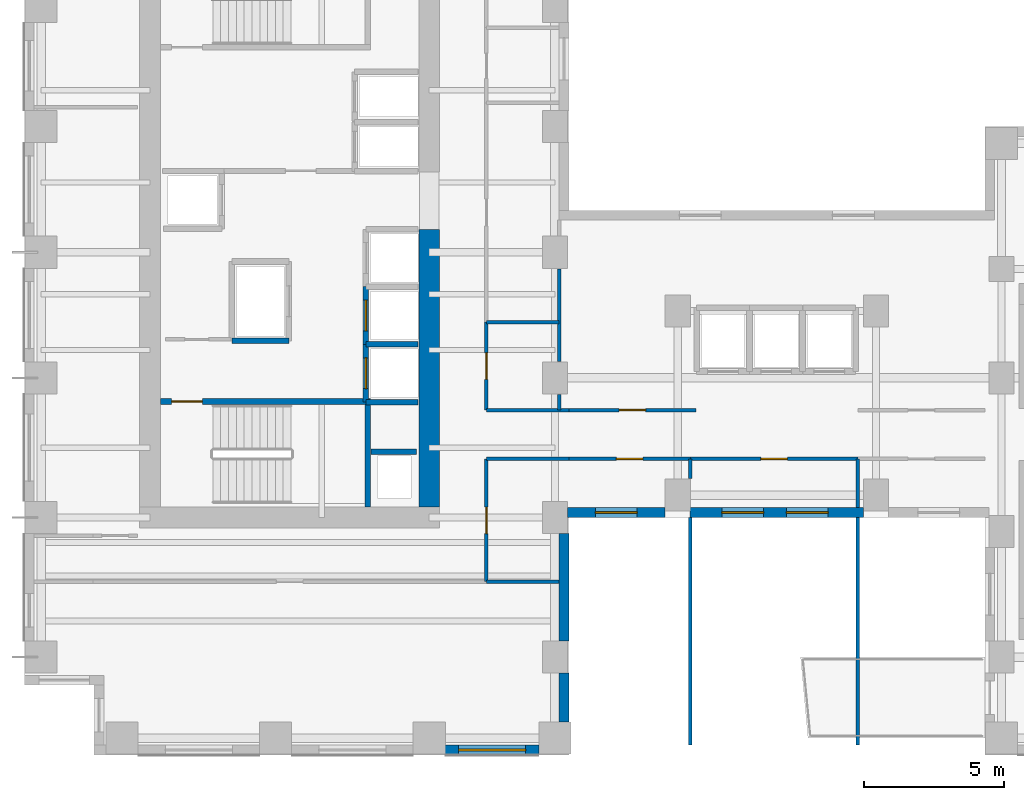
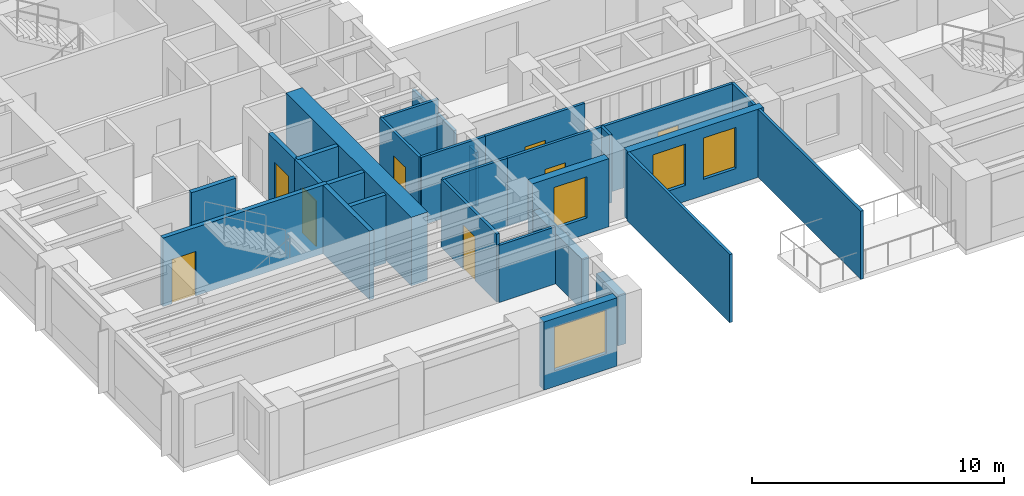
# One storey, part 4 of 12: 29 walls, 8 doors, 4 windows, 12 openings.
"""IFC4 building model written with IfcOpenShell, lengths in metres."""

from ifc_helpers import new_model, si_unit, direction, frame, frame_2d, origin, place, context, subcontext, project, spatial, rectangle, extrude, source, transform, mapped, material, layer, layer_set, type_object, element, fill, save


model = new_model("IFC4")

# Units and contexts
model_context = context("Model", 3, precision=1e-05, world=origin(), true_north=direction((0.0, 1.0)))
body_context = subcontext(model_context, "Body", "Model", "MODEL_VIEW")
ifc_project = project(units=[si_unit("LENGTHUNIT", "METRE"), si_unit("AREAUNIT", "SQUARE_METRE"), si_unit("VOLUMEUNIT", "CUBIC_METRE"), si_unit("PLANEANGLEUNIT", "RADIAN"), si_unit("MASSUNIT", "GRAM", prefix="KILO")], contexts=[model_context])

# Site, building, storey
site_placement = place(None, origin())
site = spatial("IfcSite", under=ifc_project, at=site_placement, CompositionType="ELEMENT")
building_placement = place(site_placement, origin())
building = spatial("IfcBuilding", under=site, at=building_placement, Name="Kharzan Plaza Tower", CompositionType="ELEMENT")
storey_placement = place(building_placement, frame((0.0, 0.0, 135.0)))
storey = spatial("IfcBuildingStorey", under=building, at=storey_placement, Name="L36", CompositionType="ELEMENT", Elevation=135.0)

# Wall, opening, window
ifc_material_1 = material(Name="Concrete C40/50", Category="concrete")
ifc_layer_1 = layer(ifc_material_1, 0.35009765625)
ifc_layer_set_1 = layer_set([ifc_layer_1], Name="Concrete C40/50")
wall_type_1 = type_object("IfcWallType", Name="WL-EXT-MAS-Z2", PredefinedType="SOLIDWALL", material=ifc_layer_set_1)
wall_1_placement = place(storey_placement, frame((15.072998046875, 0.175048828125, 0.0), z_axis=(0.0, 0.0, 1.0), x_axis=(1.0, 0.0, 0.0)))
wall_1 = element("IfcWall", 1, at=wall_1_placement, inside=storey, type_object=wall_type_1, Name="L36 Masonry-Frame Exterior Wall 31", PredefinedType="SOLIDWALL", context=body_context, shape_type="SweptSolid", body=[
    extrude(rectangle(XDim=3.35400390625, YDim=0.35009765625, at=frame_2d((1.677001953125, 0.0))), origin(), (0.0, 0.0, 1.0), 3.304931640625),
])
opening_1_placement = place(wall_1_placement, frame((0.47705078125, 0.0, 0.780029296875)))
opening_1 = element("IfcOpeningElement", 2, at=opening_1_placement, cuts=wall_1, Name="Opening W2", PredefinedType="OPENING", context=body_context, shape_type="SweptSolid", body=[
    extrude(rectangle(XDim=2.39990234375, YDim=2.10009765625, at=frame_2d((1.199951171875, 1.050048828125))), frame((0.0, 0.18505859375, 0.0), z_axis=(0.0, -1.0, 0.0), x_axis=(1.0, 0.0, 0.0)), (0.0, 0.0, 1.0), 0.3701171875),
])
ifc_material_2 = material(Name="Low-E Double Glazing", Category="glass")
window_type_1 = type_object("IfcWindowType", Name="WN-REC-2400x2100", PartitioningType="SINGLE_PANEL", PredefinedType="WINDOW", material=ifc_material_2)
shared_shape_1 = source(origin(), body_context, "Body", "SweptSolid", [
    extrude(rectangle(XDim=2.39990234375, YDim=2.10009765625, at=frame_2d((1.199951171875, 1.050048828125))), frame((0.0, 0.030029296875, 0.0), z_axis=(0.0, -1.0, 0.0), x_axis=(1.0, 0.0, 0.0)), (0.0, 0.0, 1.0), 0.06005859375),
])
window_1_placement = place(opening_1_placement, origin())
window_1 = element("IfcWindow", 3, at=window_1_placement, inside=storey, type_object=window_type_1, Name="L36 Wide Recessed Solar-Control Window 31-1", OverallHeight=2.10009765625, OverallWidth=2.39990234375, PartitioningType="SINGLE_PANEL", PredefinedType="WINDOW", context=body_context, shape_type="MappedRepresentation", body=[
    mapped(shared_shape_1, transform((0.0, 0.0, 0.0), x_axis=(1.0, 0.0, 0.0), y_axis=(0.0, 1.0, 0.0), z_axis=(0.0, 0.0, 1.0))),
])
fill(opening_1, window_1)

wall_2_placement = place(storey_placement, frame((19.447998046875, 8.675048828125, 0.0), z_axis=(0.0, 0.0, 1.0), x_axis=(1.0, 0.0, 0.0)))
wall_2 = element("IfcWall", 4, at=wall_2_placement, inside=storey, type_object=wall_type_1, Name="L36 Masonry-Frame Exterior Wall 34", PredefinedType="SOLIDWALL", context=body_context, shape_type="SweptSolid", body=[
    extrude(rectangle(XDim=3.50390625, YDim=0.35009765625, at=frame_2d((1.751953125, 0.0))), origin(), (0.0, 0.0, 1.0), 3.304931640625),
])
opening_2_placement = place(wall_2_placement, frame((1.001953125, 0.0, 0.780029296875)))
opening_2 = element("IfcOpeningElement", 5, at=opening_2_placement, cuts=wall_2, Name="Opening W5", PredefinedType="OPENING", context=body_context, shape_type="SweptSolid", body=[
    extrude(rectangle(XDim=1.5, YDim=2.0, at=frame_2d((0.75, 1.0))), frame((0.0, 0.18505859375, 0.0), z_axis=(0.0, -1.0, 0.0), x_axis=(1.0, 0.0, 0.0)), (0.0, 0.0, 1.0), 0.3701171875),
])
window_type_2 = type_object("IfcWindowType", Name="WN-SLT-1500x2000", PartitioningType="SINGLE_PANEL", PredefinedType="WINDOW", material=ifc_material_2)
shared_shape_2 = source(origin(), body_context, "Body", "SweptSolid", [
    extrude(rectangle(XDim=1.5, YDim=2.0, at=frame_2d((0.75, 1.0))), frame((0.0, 0.030029296875, 0.0), z_axis=(0.0, -1.0, 0.0), x_axis=(1.0, 0.0, 0.0)), (0.0, 0.0, 1.0), 0.06005859375),
])
window_2_placement = place(opening_2_placement, origin())
window_2 = element("IfcWindow", 6, at=window_2_placement, inside=storey, type_object=window_type_2, Name="L36 Recessed Solar-Control Window 34-1", OverallHeight=2.0, OverallWidth=1.5, PartitioningType="SINGLE_PANEL", PredefinedType="WINDOW", context=body_context, shape_type="MappedRepresentation", body=[
    mapped(shared_shape_2, transform((0.0, 0.0, 0.0), x_axis=(1.0, 0.0, 0.0), y_axis=(0.0, 1.0, 0.0), z_axis=(0.0, 0.0, 1.0))),
])
fill(opening_2, window_2)

# Wall, openings, windows
wall_3_placement = place(storey_placement, frame((23.847900390625, 8.675048828125, 0.0), z_axis=(0.0, 0.0, 1.0), x_axis=(1.0, 0.0, 0.0)))
wall_3 = element("IfcWall", 7, at=wall_3_placement, inside=storey, type_object=wall_type_1, Name="L36 Masonry-Frame Exterior Wall 35", PredefinedType="SOLIDWALL", context=body_context, shape_type="SweptSolid", body=[
    extrude(rectangle(XDim=6.2041015625, YDim=0.35009765625, at=frame_2d((3.10205078125, 0.0))), origin(), (0.0, 0.0, 1.0), 3.304931640625),
])
opening_3_placement = place(wall_3_placement, frame((1.130615234375, 0.0, 0.780029296875)))
opening_3 = element("IfcOpeningElement", 8, at=opening_3_placement, cuts=wall_3, Name="Opening W5", PredefinedType="OPENING", context=body_context, shape_type="SweptSolid", body=[
    extrude(rectangle(XDim=1.5, YDim=2.0, at=frame_2d((0.75, 1.0))), frame((0.0, 0.18505859375, 0.0), z_axis=(0.0, -1.0, 0.0), x_axis=(1.0, 0.0, 0.0)), (0.0, 0.0, 1.0), 0.3701171875),
])
opening_4_placement = place(wall_3_placement, frame((3.44140625, 0.0, 0.780029296875)))
opening_4 = element("IfcOpeningElement", 9, at=opening_4_placement, cuts=wall_3, Name="Opening W5", PredefinedType="OPENING", context=body_context, shape_type="SweptSolid", body=[
    extrude(rectangle(XDim=1.5, YDim=2.0, at=frame_2d((0.75, 1.0))), frame((0.0, 0.18505859375, 0.0), z_axis=(0.0, -1.0, 0.0), x_axis=(1.0, 0.0, 0.0)), (0.0, 0.0, 1.0), 0.3701171875),
])
window_3_placement = place(opening_3_placement, origin())
window_3 = element("IfcWindow", 10, at=window_3_placement, inside=storey, type_object=window_type_2, Name="L36 Recessed Solar-Control Window 35-1", OverallHeight=2.0, OverallWidth=1.5, PartitioningType="SINGLE_PANEL", PredefinedType="WINDOW", context=body_context, shape_type="MappedRepresentation", body=[
    mapped(shared_shape_2, transform((0.0, 0.0, 0.0), x_axis=(1.0, 0.0, 0.0), y_axis=(0.0, 1.0, 0.0), z_axis=(0.0, 0.0, 1.0))),
])
fill(opening_3, window_3)
window_4_placement = place(opening_4_placement, origin())
window_4 = element("IfcWindow", 11, at=window_4_placement, inside=storey, type_object=window_type_2, Name="L36 Recessed Solar-Control Window 35-2", OverallHeight=2.0, OverallWidth=1.5, PartitioningType="SINGLE_PANEL", PredefinedType="WINDOW", context=body_context, shape_type="MappedRepresentation", body=[
    mapped(shared_shape_2, transform((0.0, 0.0, 0.0), x_axis=(1.0, 0.0, 0.0), y_axis=(0.0, 1.0, 0.0), z_axis=(0.0, 0.0, 1.0))),
])
fill(opening_4, window_4)

# Wall, opening, door
ifc_material_3 = material(Name="Fire-Rated Gypsum Board Partition", Category="gypsum")
ifc_layer_2 = layer(ifc_material_3, 0.125)
ifc_layer_set_2 = layer_set([ifc_layer_2], Name="Fire-Rated Gypsum Board Partition")
wall_type_2 = type_object("IfcWallType", Name="WL-INT-PART-125", PredefinedType="PARTITIONING", material=ifc_layer_set_2)
wall_4_placement = place(storey_placement, frame((16.550048828125, 12.35009765625, 0.0), z_axis=(0.0, 0.0, 1.0), x_axis=(0.0, 1.0, 0.0)))
wall_4 = element("IfcWall", 12, at=wall_4_placement, inside=storey, type_object=wall_type_2, Name="L36 Interior Partition SH-AEWN1", PredefinedType="PARTITIONING", context=body_context, shape_type="SweptSolid", body=[
    extrude(rectangle(XDim=3.14990234375, YDim=0.125, at=frame_2d((1.574951171875, 0.0))), origin(), (0.0, 0.0, 1.0), 3.304931640625),
])
opening_5_placement = place(wall_4_placement, frame((1.10009765625, 0.0, 0.0)))
opening_5 = element("IfcOpeningElement", 13, at=opening_5_placement, cuts=wall_4, Name="Opening OD1", PredefinedType="OPENING", context=body_context, shape_type="SweptSolid", body=[
    extrude(rectangle(XDim=0.949951171875, YDim=2.14990234375, at=frame_2d((0.47509765625, 1.074951171875))), frame((0.0, 0.072509765625, 0.0), z_axis=(0.0, -1.0, 0.0), x_axis=(1.0, 0.0, 0.0)), (0.0, 0.0, 1.0), 0.14501953125),
])
ifc_material_4 = material(Name="Acoustic Solid-Core Stained Oak", Category="timber")
door_type_1 = type_object("IfcDoorType", Name="DR-OFF-SINGLE", OperationType="NOTDEFINED", PredefinedType="DOOR", material=ifc_material_4)
shared_shape_3 = source(origin(), body_context, "Body", "SweptSolid", [
    extrude(rectangle(XDim=0.949951171875, YDim=2.14990234375, at=frame_2d((0.47509765625, 1.074951171875))), frame((0.0, 0.02490234375, 0.0), z_axis=(0.0, -1.0, 0.0), x_axis=(1.0, 0.0, 0.0)), (0.0, 0.0, 1.0), 0.050048828125),
])
door_1_placement = place(opening_5_placement, origin())
door_1 = element("IfcDoor", 14, at=door_1_placement, inside=storey, type_object=door_type_1, Name="L36 Slot Collaboration Door", OperationType="SINGLE_SWING_LEFT", OverallHeight=2.14990234375, OverallWidth=0.949951171875, PredefinedType="DOOR", context=body_context, shape_type="MappedRepresentation", body=[
    mapped(shared_shape_3, transform((0.0, 0.0, 0.0), x_axis=(1.0, 0.0, 0.0), y_axis=(0.0, 1.0, 0.0), z_axis=(0.0, 0.0, 1.0))),
])
fill(opening_5, door_1)

wall_5_placement = place(storey_placement, frame((16.550048828125, 6.199951171875, 0.0), z_axis=(0.0, 0.0, 1.0), x_axis=(0.0, 1.0, 0.0)))
wall_5 = element("IfcWall", 15, at=wall_5_placement, inside=storey, type_object=wall_type_2, Name="L36 Interior Partition SH-AEWS", PredefinedType="PARTITIONING", context=body_context, shape_type="SweptSolid", body=[
    extrude(rectangle(XDim=4.400146484375, YDim=0.125, at=frame_2d((2.2001953125, 0.0))), origin(), (0.0, 0.0, 1.0), 3.304931640625),
])
opening_6_placement = place(wall_5_placement, frame((1.72509765625, 0.0, 0.0)))
opening_6 = element("IfcOpeningElement", 16, at=opening_6_placement, cuts=wall_5, Name="Opening OD1", PredefinedType="OPENING", context=body_context, shape_type="SweptSolid", body=[
    extrude(rectangle(XDim=0.949951171875, YDim=2.14990234375, at=frame_2d((0.47509765625, 1.074951171875))), frame((0.0, 0.072509765625, 0.0), z_axis=(0.0, -1.0, 0.0), x_axis=(1.0, 0.0, 0.0)), (0.0, 0.0, 1.0), 0.14501953125),
])
door_2_placement = place(opening_6_placement, origin())
door_2 = element("IfcDoor", 17, at=door_2_placement, inside=storey, type_object=door_type_1, Name="L36 Slot South Office Door", OperationType="SINGLE_SWING_RIGHT", OverallHeight=2.14990234375, OverallWidth=0.949951171875, PredefinedType="DOOR", context=body_context, shape_type="MappedRepresentation", body=[
    mapped(shared_shape_3, transform((0.0, 0.0, 0.0), x_axis=(1.0, 0.0, 0.0), y_axis=(0.0, 1.0, 0.0), z_axis=(0.0, 0.0, 1.0))),
])
fill(opening_6, door_2)

wall_6_placement = place(storey_placement, frame((19.5, 12.35009765625, 0.0), z_axis=(0.0, 0.0, 1.0), x_axis=(1.0, 0.0, 0.0)))
wall_6 = element("IfcWall", 18, at=wall_6_placement, inside=storey, type_object=wall_type_2, Name="L36 Interior Partition SH-SPNW1", PredefinedType="PARTITIONING", context=body_context, shape_type="SweptSolid", body=[
    extrude(rectangle(XDim=4.550048828125, YDim=0.125, at=frame_2d((2.27490234375, 0.0))), origin(), (0.0, 0.0, 1.0), 3.304931640625),
])
opening_7_placement = place(wall_6_placement, frame((1.800048828125, 0.0, 0.0)))
opening_7 = element("IfcOpeningElement", 19, at=opening_7_placement, cuts=wall_6, Name="Opening OD1", PredefinedType="OPENING", context=body_context, shape_type="SweptSolid", body=[
    extrude(rectangle(XDim=0.949951171875, YDim=2.14990234375, at=frame_2d((0.47509765625, 1.074951171875))), frame((0.0, 0.072509765625, 0.0), z_axis=(0.0, -1.0, 0.0), x_axis=(1.0, 0.0, 0.0)), (0.0, 0.0, 1.0), 0.14501953125),
])
door_3_placement = place(opening_7_placement, origin())
door_3 = element("IfcDoor", 20, at=door_3_placement, inside=storey, type_object=door_type_1, Name="L36 North-West Spine Door", OperationType="SINGLE_SWING_RIGHT", OverallHeight=2.14990234375, OverallWidth=0.949951171875, PredefinedType="DOOR", context=body_context, shape_type="MappedRepresentation", body=[
    mapped(shared_shape_3, transform((0.0, 0.0, 0.0), x_axis=(1.0, 0.0, 0.0), y_axis=(0.0, 1.0, 0.0), z_axis=(0.0, 0.0, 1.0))),
])
fill(opening_7, door_3)

wall_7_placement = place(storey_placement, frame((19.5, 10.60009765625, 0.0), z_axis=(0.0, 0.0, 1.0), x_axis=(1.0, 0.0, 0.0)))
wall_7 = element("IfcWall", 21, at=wall_7_placement, inside=storey, type_object=wall_type_2, Name="L36 Interior Partition SH-SPS1", PredefinedType="PARTITIONING", context=body_context, shape_type="SweptSolid", body=[
    extrude(rectangle(XDim=4.35009765625, YDim=0.125, at=frame_2d((2.175048828125, 0.0))), origin(), (0.0, 0.0, 1.0), 3.304931640625),
])
opening_8_placement = place(wall_7_placement, frame((1.699951171875, 0.0, 0.0)))
opening_8 = element("IfcOpeningElement", 22, at=opening_8_placement, cuts=wall_7, Name="Opening OD1", PredefinedType="OPENING", context=body_context, shape_type="SweptSolid", body=[
    extrude(rectangle(XDim=0.949951171875, YDim=2.14990234375, at=frame_2d((0.47509765625, 1.074951171875))), frame((0.0, 0.072509765625, 0.0), z_axis=(0.0, -1.0, 0.0), x_axis=(1.0, 0.0, 0.0)), (0.0, 0.0, 1.0), 0.14501953125),
])
door_4_placement = place(opening_8_placement, origin())
door_4 = element("IfcDoor", 23, at=door_4_placement, inside=storey, type_object=door_type_1, Name="L36 Spine Studio 1 Door", OperationType="SINGLE_SWING_LEFT", OverallHeight=2.14990234375, OverallWidth=0.949951171875, PredefinedType="DOOR", context=body_context, shape_type="MappedRepresentation", body=[
    mapped(shared_shape_3, transform((0.0, 0.0, 0.0), x_axis=(1.0, 0.0, 0.0), y_axis=(0.0, 1.0, 0.0), z_axis=(0.0, 0.0, 1.0))),
])
fill(opening_8, door_4)

wall_8_placement = place(storey_placement, frame((23.85009765625, 10.60009765625, 0.0), z_axis=(0.0, 0.0, 1.0), x_axis=(1.0, 0.0, 0.0)))
wall_8 = element("IfcWall", 24, at=wall_8_placement, inside=storey, type_object=wall_type_2, Name="L36 Interior Partition SH-SPS2", PredefinedType="PARTITIONING", context=body_context, shape_type="SweptSolid", body=[
    extrude(rectangle(XDim=6.0, YDim=0.125, at=frame_2d((3.0, 0.0))), origin(), (0.0, 0.0, 1.0), 3.304931640625),
])
opening_9_placement = place(wall_8_placement, frame((2.52490234375, 0.0, 0.0)))
opening_9 = element("IfcOpeningElement", 25, at=opening_9_placement, cuts=wall_8, Name="Opening OD1", PredefinedType="OPENING", context=body_context, shape_type="SweptSolid", body=[
    extrude(rectangle(XDim=0.949951171875, YDim=2.14990234375, at=frame_2d((0.47509765625, 1.074951171875))), frame((0.0, 0.072509765625, 0.0), z_axis=(0.0, -1.0, 0.0), x_axis=(1.0, 0.0, 0.0)), (0.0, 0.0, 1.0), 0.14501953125),
])
door_5_placement = place(opening_9_placement, origin())
door_5 = element("IfcDoor", 26, at=door_5_placement, inside=storey, type_object=door_type_1, Name="L36 Spine Studio 2 Door", OperationType="SINGLE_SWING_RIGHT", OverallHeight=2.14990234375, OverallWidth=0.949951171875, PredefinedType="DOOR", context=body_context, shape_type="MappedRepresentation", body=[
    mapped(shared_shape_3, transform((0.0, 0.0, 0.0), x_axis=(1.0, 0.0, 0.0), y_axis=(0.0, 1.0, 0.0), z_axis=(0.0, 0.0, 1.0))),
])
fill(opening_9, door_5)

ifc_layer_3 = layer(ifc_material_1, 0.199951171875)
ifc_layer_set_3 = layer_set([ifc_layer_3], Name="Concrete C40/50")
wall_type_3 = type_object("IfcWallType", Name="WL-INT-SHAFT-200", PredefinedType="PARTITIONING", material=ifc_layer_set_3)
wall_9_placement = place(storey_placement, frame((12.22998046875, 12.6298828125, 0.0), z_axis=(0.0, 0.0, 1.0), x_axis=(0.0, 1.0, 0.0)))
wall_9 = element("IfcWall", 27, at=wall_9_placement, inside=storey, type_object=wall_type_3, Name="L36 Interior Partition SHF-PL-H1-W", PredefinedType="PARTITIONING", context=body_context, shape_type="SweptSolid", body=[
    extrude(rectangle(XDim=2.070068359375, YDim=0.199951171875, at=frame_2d((1.03515625, 0.0))), origin(), (0.0, 0.0, 1.0), 3.304931640625),
])
opening_10_placement = place(wall_9_placement, frame((0.485107421875, 0.0, 0.0)))
opening_10 = element("IfcOpeningElement", 28, at=opening_10_placement, cuts=wall_9, Name="Opening LD", PredefinedType="OPENING", context=body_context, shape_type="SweptSolid", body=[
    extrude(rectangle(XDim=1.10009765625, YDim=2.199951171875, at=frame_2d((0.550048828125, 1.10009765625))), frame((0.0, 0.10986328125, 0.0), z_axis=(0.0, -1.0, 0.0), x_axis=(1.0, 0.0, 0.0)), (0.0, 0.0, 1.0), 0.219970703125),
])
ifc_material_5 = material(Name="Brushed Stainless Steel", Category="steel")
door_type_2 = type_object("IfcDoorType", Name="DR-LIFT-SLIDE", OperationType="SLIDING_TO_LEFT", PredefinedType="DOOR", material=ifc_material_5)
shared_shape_4 = source(origin(), body_context, "Body", "SweptSolid", [
    extrude(rectangle(XDim=1.10009765625, YDim=2.199951171875, at=frame_2d((0.550048828125, 1.10009765625))), frame((0.0, 0.02490234375, 0.0), z_axis=(0.0, -1.0, 0.0), x_axis=(1.0, 0.0, 0.0)), (0.0, 0.0, 1.0), 0.050048828125),
])
door_6_placement = place(opening_10_placement, origin())
door_6 = element("IfcDoor", 29, at=door_6_placement, inside=storey, type_object=door_type_2, Name="L36 High-Rise Passenger Lift PL-H1 Sliding Landing Door", OperationType="SLIDING_TO_LEFT", OverallHeight=2.199951171875, OverallWidth=1.10009765625, PredefinedType="DOOR", context=body_context, shape_type="MappedRepresentation", body=[
    mapped(shared_shape_4, transform((0.0, 0.0, 0.0), x_axis=(1.0, 0.0, 0.0), y_axis=(0.0, 1.0, 0.0), z_axis=(0.0, 0.0, 1.0))),
])
fill(opening_10, door_6)

wall_10_placement = place(storey_placement, frame((12.22998046875, 14.699951171875, 0.0), z_axis=(0.0, 0.0, 1.0), x_axis=(0.0, 1.0, 0.0)))
wall_10 = element("IfcWall", 30, at=wall_10_placement, inside=storey, type_object=wall_type_3, Name="L36 Interior Partition SHF-PL-H2-W", PredefinedType="PARTITIONING", context=body_context, shape_type="SweptSolid", body=[
    extrude(rectangle(XDim=2.070068359375, YDim=0.199951171875, at=frame_2d((1.03515625, 0.0))), origin(), (0.0, 0.0, 1.0), 3.304931640625),
])
opening_11_placement = place(wall_10_placement, frame((0.485107421875, 0.0, 0.0)))
opening_11 = element("IfcOpeningElement", 31, at=opening_11_placement, cuts=wall_10, Name="Opening LD", PredefinedType="OPENING", context=body_context, shape_type="SweptSolid", body=[
    extrude(rectangle(XDim=1.10009765625, YDim=2.199951171875, at=frame_2d((0.550048828125, 1.10009765625))), frame((0.0, 0.10986328125, 0.0), z_axis=(0.0, -1.0, 0.0), x_axis=(1.0, 0.0, 0.0)), (0.0, 0.0, 1.0), 0.219970703125),
])
door_7_placement = place(opening_11_placement, origin())
door_7 = element("IfcDoor", 32, at=door_7_placement, inside=storey, type_object=door_type_2, Name="L36 High-Rise Passenger Lift PL-H2 Sliding Landing Door", OperationType="SLIDING_TO_LEFT", OverallHeight=2.199951171875, OverallWidth=1.10009765625, PredefinedType="DOOR", context=body_context, shape_type="MappedRepresentation", body=[
    mapped(shared_shape_4, transform((0.0, 0.0, 0.0), x_axis=(1.0, 0.0, 0.0), y_axis=(0.0, 1.0, 0.0), z_axis=(0.0, 0.0, 1.0))),
])
fill(opening_11, door_7)

ifc_material_6 = material(Name="Concrete C50/60", Category="concrete")
ifc_layer_4 = layer(ifc_material_6, 0.199951171875)
ifc_layer_set_4 = layer_set([ifc_layer_4], Name="Concrete C50/60")
wall_type_4 = type_object("IfcWallType", Name="WL-SHAFT-RC200", PredefinedType="SHEAR", material=ifc_layer_set_4)
wall_11_placement = place(storey_placement, frame((4.876953125, 12.655029296875, 0.0), z_axis=(0.0, 0.0, 1.0), x_axis=(1.0, 0.0, 0.0)))
wall_11 = element("IfcWall", 33, at=wall_11_placement, inside=storey, type_object=wall_type_4, Name="L36 Stair ST-1 North RC Shaft Wall", PredefinedType="SHEAR", context=body_context, shape_type="SweptSolid", body=[
    extrude(rectangle(XDim=7.528076171875, YDim=0.199951171875, at=frame_2d((3.76416015625, 0.0))), origin(), (0.0, 0.0, 1.0), 3.320068359375),
])
opening_12_placement = place(wall_11_placement, frame((0.39990234375, 0.0, 0.0)))
opening_12 = element("IfcOpeningElement", 34, at=opening_12_placement, cuts=wall_11, Name="Opening SD1", PredefinedType="OPENING", context=body_context, shape_type="SweptSolid", body=[
    extrude(rectangle(XDim=1.10009765625, YDim=2.14990234375, at=frame_2d((0.550048828125, 1.074951171875))), frame((0.0, 0.10986328125, 0.0), z_axis=(0.0, -1.0, 0.0), x_axis=(1.0, 0.0, 0.0)), (0.0, 0.0, 1.0), 0.219970703125),
])
ifc_material_7 = material(Name="Fire-Rated Hollow Galvanized Steel", Category="steel")
door_type_3 = type_object("IfcDoorType", Name="DR-STAIR-FD120", OperationType="NOTDEFINED", PredefinedType="DOOR", material=ifc_material_7)
shared_shape_5 = source(origin(), body_context, "Body", "SweptSolid", [
    extrude(rectangle(XDim=1.10009765625, YDim=2.14990234375, at=frame_2d((0.550048828125, 1.074951171875))), frame((0.0, 0.02490234375, 0.0), z_axis=(0.0, -1.0, 0.0), x_axis=(1.0, 0.0, 0.0)), (0.0, 0.0, 1.0), 0.050048828125),
])
door_8_placement = place(opening_12_placement, origin())
door_8 = element("IfcDoor", 35, at=door_8_placement, inside=storey, type_object=door_type_3, Name="L36 Stair ST-1 Fire Exit Door", OperationType="SINGLE_SWING_LEFT", OverallHeight=2.14990234375, OverallWidth=1.10009765625, PredefinedType="DOOR", context=body_context, shape_type="MappedRepresentation", body=[
    mapped(shared_shape_5, transform((0.0, 0.0, 0.0), x_axis=(1.0, 0.0, 0.0), y_axis=(0.0, 1.0, 0.0), z_axis=(0.0, 0.0, 1.0))),
])
fill(opening_12, door_8)

# Walls
shared_shape_6 = source(origin(), body_context, "Body", "SweptSolid", [
    extrude(rectangle(XDim=2.599853515625, YDim=0.125, at=frame_2d((1.2998046875, 0.0))), origin(), (0.0, 0.0, 1.0), 3.304931640625),
])
wall_12_placement = place(storey_placement, frame((16.550048828125, 15.5, 0.0), z_axis=(0.0, 0.0, 1.0), x_axis=(1.0, 0.0, 0.0)))
element("IfcWall", 36, at=wall_12_placement, inside=storey, type_object=wall_type_2, Name="L36 Interior Partition SH-AEH-155", PredefinedType="PARTITIONING", context=body_context, shape_type="MappedRepresentation", body=[
    mapped(shared_shape_6, transform((0.0, 0.0, 0.0), x_axis=(1.0, 0.0, 0.0), y_axis=(0.0, 1.0, 0.0), z_axis=(0.0, 0.0, 1.0))),
])
shared_shape_7 = source(origin(), body_context, "Body", "SweptSolid", [
    extrude(rectangle(XDim=2.597900390625, YDim=0.125, at=frame_2d((1.298828125, 0.0))), origin(), (0.0, 0.0, 1.0), 2.76806640625),
])
wall_13_placement = place(storey_placement, frame((16.550048828125, 6.199951171875, 0.0), z_axis=(0.0, 0.0, 1.0), x_axis=(1.0, 0.0, 0.0)))
element("IfcWall", 37, at=wall_13_placement, inside=storey, type_object=wall_type_2, Name="L36 Interior Partition SH-SSE-1", PredefinedType="PARTITIONING", context=body_context, shape_type="MappedRepresentation", body=[
    mapped(shared_shape_7, transform((0.0, 0.0, 0.0), x_axis=(1.0, 0.0, 0.0), y_axis=(0.0, 1.0, 0.0), z_axis=(0.0, 0.0, 1.0))),
])
shared_shape_8 = source(origin(), body_context, "Body", "SweptSolid", [
    extrude(rectangle(XDim=2.949951171875, YDim=0.125, at=frame_2d((1.47509765625, 0.0))), origin(), (0.0, 0.0, 1.0), 3.304931640625),
])
for number, where, z_axis, x_axis, name in (
    (38, (16.550048828125, 12.35009765625, 0.0), (0.0, 0.0, 1.0), (1.0, 0.0, 0.0), "L36 Interior Partition SH-SPNW0"),
    (39, (16.550048828125, 10.60009765625, 0.0), (0.0, 0.0, 1.0), (1.0, 0.0, 0.0), "L36 Interior Partition SH-SPS0"),
):
    element("IfcWall", number, at=place(storey_placement, frame(where, z_axis=z_axis, x_axis=x_axis)), inside=storey, type_object=wall_type_2, Name=name, PredefinedType="PARTITIONING", context=body_context, shape_type="MappedRepresentation", body=[
        mapped(shared_shape_8, transform((0.0, 0.0, 0.0), x_axis=(1.0, 0.0, 0.0), y_axis=(0.0, 1.0, 0.0), z_axis=(0.0, 0.0, 1.0))),
    ])
shared_shape_9 = source(origin(), body_context, "Body", "SweptSolid", [
    extrude(rectangle(XDim=8.14794921875, YDim=0.125, at=frame_2d((4.073974609375, 0.0))), origin(), (0.0, 0.0, 1.0), 3.304931640625),
])
for number, where, z_axis, x_axis, name in (
    (40, (23.85009765625, 0.35009765625, 0.0), (0.0, 0.0, 1.0), (0.0, 1.0, 0.0), "L36 Interior Partition SH-SPSV1-S1"),
    (41, (29.85009765625, 0.35009765625, 0.0), (0.0, 0.0, 1.0), (0.0, 1.0, 0.0), "L36 Interior Partition SH-SPSV2-S1"),
):
    element("IfcWall", number, at=place(storey_placement, frame(where, z_axis=z_axis, x_axis=x_axis)), inside=storey, type_object=wall_type_2, Name=name, PredefinedType="PARTITIONING", context=body_context, shape_type="MappedRepresentation", body=[
        mapped(shared_shape_9, transform((0.0, 0.0, 0.0), x_axis=(1.0, 0.0, 0.0), y_axis=(0.0, 1.0, 0.0), z_axis=(0.0, 0.0, 1.0))),
    ])
shared_shape_10 = source(origin(), body_context, "Body", "SweptSolid", [
    extrude(rectangle(XDim=2.0400390625, YDim=0.199951171875, at=frame_2d((1.02001953125, 0.0))), origin(), (0.0, 0.0, 1.0), 3.304931640625),
])
wall_14_placement = place(storey_placement, frame((7.429931640625, 14.830078125, 0.0), z_axis=(0.0, 0.0, 1.0), x_axis=(1.0, 0.0, 0.0)))
element("IfcWall", 42, at=wall_14_placement, inside=storey, type_object=wall_type_3, Name="L36 Interior Partition SHF-SVL-1-S", PredefinedType="PARTITIONING", context=body_context, shape_type="MappedRepresentation", body=[
    mapped(shared_shape_10, transform((0.0, 0.0, 0.0), x_axis=(1.0, 0.0, 0.0), y_axis=(0.0, 1.0, 0.0), z_axis=(0.0, 0.0, 1.0))),
])
ifc_material_8 = material(Name="Concrete C60/75", Category="concrete")
ifc_layer_5 = layer(ifc_material_8, 0.75)
ifc_layer_set_5 = layer_set([ifc_layer_5], Name="Concrete C60/75")
wall_type_5 = type_object("IfcWallType", Name="WL-CORE-750", PredefinedType="SHEAR", material=ifc_layer_set_5)
shared_shape_11 = source(origin(), body_context, "Body", "SweptSolid", [
    extrude(rectangle(XDim=9.945068359375, YDim=0.75, at=frame_2d((4.97265625, 0.0))), origin(), (0.0, 0.0, 1.0), 3.320068359375),
])
wall_15_placement = place(storey_placement, frame((14.5, 8.875, 0.0), z_axis=(0.0, 0.0, 1.0), x_axis=(0.0, 1.0, 0.0)))
element("IfcWall", 43, at=wall_15_placement, inside=storey, type_object=wall_type_5, Name="L36 CORE-A east shear pier 1", PredefinedType="SHEAR", context=body_context, shape_type="MappedRepresentation", body=[
    mapped(shared_shape_11, transform((0.0, 0.0, 0.0), x_axis=(1.0, 0.0, 0.0), y_axis=(0.0, 1.0, 0.0), z_axis=(0.0, 0.0, 1.0))),
])
shared_shape_12 = source(origin(), body_context, "Body", "SweptSolid", [
    extrude(rectangle(XDim=1.75390625, YDim=0.35009765625, at=frame_2d((0.876953125, 0.0))), origin(), (0.0, 0.0, 1.0), 2.458984375),
])
wall_16_placement = place(storey_placement, frame((19.324951171875, 1.173095703125, 0.0), z_axis=(0.0, 0.0, 1.0), x_axis=(0.0, 1.0, 0.0)))
element("IfcWall", 44, at=wall_16_placement, inside=storey, type_object=wall_type_1, Name="L36 Masonry-Frame Exterior Wall 32", PredefinedType="SOLIDWALL", context=body_context, shape_type="MappedRepresentation", body=[
    mapped(shared_shape_12, transform((0.0, 0.0, 0.0), x_axis=(1.0, 0.0, 0.0), y_axis=(0.0, 1.0, 0.0), z_axis=(0.0, 0.0, 1.0))),
])
shared_shape_13 = source(origin(), body_context, "Body", "SweptSolid", [
    extrude(rectangle(XDim=3.85400390625, YDim=0.35009765625, at=frame_2d((1.927001953125, 0.0))), origin(), (0.0, 0.0, 1.0), 2.458984375),
])
wall_17_placement = place(storey_placement, frame((19.324951171875, 4.072998046875, 0.0), z_axis=(0.0, 0.0, 1.0), x_axis=(0.0, 1.0, 0.0)))
element("IfcWall", 45, at=wall_17_placement, inside=storey, type_object=wall_type_1, Name="L36 Masonry-Frame Exterior Wall 33", PredefinedType="SOLIDWALL", context=body_context, shape_type="MappedRepresentation", body=[
    mapped(shared_shape_13, transform((0.0, 0.0, 0.0), x_axis=(1.0, 0.0, 0.0), y_axis=(0.0, 1.0, 0.0), z_axis=(0.0, 0.0, 1.0))),
])
shared_shape_14 = source(origin(), body_context, "Body", "SweptSolid", [
    extrude(rectangle(XDim=0.559814453125, YDim=0.125, at=frame_2d((0.27978515625, 0.0))), origin(), (0.0, 0.0, 1.0), 2.616943359375),
])
wall_18_placement = place(storey_placement, frame((19.14990234375, 12.35009765625, 0.0), z_axis=(0.0, 0.0, 1.0), x_axis=(0.0, 1.0, 0.0)))
element("IfcWall", 46, at=wall_18_placement, inside=storey, type_object=wall_type_2, Name="L36 Interior Partition SH-AEN-DIV-S1", PredefinedType="PARTITIONING", context=body_context, shape_type="MappedRepresentation", body=[
    mapped(shared_shape_14, transform((0.0, 0.0, 0.0), x_axis=(1.0, 0.0, 0.0), y_axis=(0.0, 1.0, 0.0), z_axis=(0.0, 0.0, 1.0))),
])
shared_shape_15 = source(origin(), body_context, "Body", "SweptSolid", [
    extrude(rectangle(XDim=3.31982421875, YDim=0.125, at=frame_2d((1.659912109375, 0.0))), origin(), (0.0, 0.0, 1.0), 2.616943359375),
])
wall_19_placement = place(storey_placement, frame((19.14990234375, 14.090087890625, 0.0), z_axis=(0.0, 0.0, 1.0), x_axis=(0.0, 1.0, 0.0)))
element("IfcWall", 47, at=wall_19_placement, inside=storey, type_object=wall_type_2, Name="L36 Interior Partition SH-AEN-DIV-S2", PredefinedType="PARTITIONING", context=body_context, shape_type="MappedRepresentation", body=[
    mapped(shared_shape_15, transform((0.0, 0.0, 0.0), x_axis=(1.0, 0.0, 0.0), y_axis=(0.0, 1.0, 0.0), z_axis=(0.0, 0.0, 1.0))),
])
shared_shape_16 = source(origin(), body_context, "Body", "SweptSolid", [
    extrude(rectangle(XDim=0.710205078125, YDim=0.125, at=frame_2d((0.35498046875, 0.0))), origin(), (0.0, 0.0, 1.0), 3.304931640625),
])
wall_20_placement = place(storey_placement, frame((23.85009765625, 9.889892578125, 0.0), z_axis=(0.0, 0.0, 1.0), x_axis=(0.0, 1.0, 0.0)))
element("IfcWall", 48, at=wall_20_placement, inside=storey, type_object=wall_type_2, Name="L36 Interior Partition SH-SPSV1-S2", PredefinedType="PARTITIONING", context=body_context, shape_type="MappedRepresentation", body=[
    mapped(shared_shape_16, transform((0.0, 0.0, 0.0), x_axis=(1.0, 0.0, 0.0), y_axis=(0.0, 1.0, 0.0), z_axis=(0.0, 0.0, 1.0))),
])
shared_shape_17 = source(origin(), body_context, "Body", "SweptSolid", [
    extrude(rectangle(XDim=1.748046875, YDim=0.125, at=frame_2d((0.8740234375, 0.0))), origin(), (0.0, 0.0, 1.0), 3.304931640625),
])
wall_21_placement = place(storey_placement, frame((29.85009765625, 8.85205078125, 0.0), z_axis=(0.0, 0.0, 1.0), x_axis=(0.0, 1.0, 0.0)))
element("IfcWall", 49, at=wall_21_placement, inside=storey, type_object=wall_type_2, Name="L36 Interior Partition SH-SPSV2-S2", PredefinedType="PARTITIONING", context=body_context, shape_type="MappedRepresentation", body=[
    mapped(shared_shape_17, transform((0.0, 0.0, 0.0), x_axis=(1.0, 0.0, 0.0), y_axis=(0.0, 1.0, 0.0), z_axis=(0.0, 0.0, 1.0))),
])
shared_shape_18 = source(origin(), body_context, "Body", "SweptSolid", [
    extrude(rectangle(XDim=1.630126953125, YDim=0.199951171875, at=frame_2d((0.81494140625, 0.0))), origin(), (0.0, 0.0, 1.0), 3.304931640625),
])
wall_22_placement = place(storey_placement, frame((12.419921875, 10.85009765625, 0.0), z_axis=(0.0, 0.0, 1.0), x_axis=(1.0, 0.0, 0.0)))
element("IfcWall", 50, at=wall_22_placement, inside=storey, type_object=wall_type_3, Name="L36 Interior Partition CA-RSRA-N", PredefinedType="PARTITIONING", context=body_context, shape_type="MappedRepresentation", body=[
    mapped(shared_shape_18, transform((0.0, 0.0, 0.0), x_axis=(1.0, 0.0, 0.0), y_axis=(0.0, 1.0, 0.0), z_axis=(0.0, 0.0, 1.0))),
])
shared_shape_19 = source(origin(), body_context, "Body", "SweptSolid", [
    extrude(rectangle(XDim=1.864990234375, YDim=0.199951171875, at=frame_2d((0.9326171875, 0.0))), origin(), (0.0, 0.0, 1.0), 3.304931640625),
])
for number, where, z_axis, x_axis, name in (
    (51, (12.22998046875, 14.699951171875, 0.0), (0.0, 0.0, 1.0), (1.0, 0.0, 0.0), "L36 Interior Partition SHF-PL-H1-N"),
    (52, (12.22998046875, 12.6298828125, 0.0), (0.0, 0.0, 1.0), (1.0, 0.0, 0.0), "L36 Interior Partition SHF-PL-H1-S"),
):
    element("IfcWall", number, at=place(storey_placement, frame(where, z_axis=z_axis, x_axis=x_axis)), inside=storey, type_object=wall_type_3, Name=name, PredefinedType="PARTITIONING", context=body_context, shape_type="MappedRepresentation", body=[
        mapped(shared_shape_19, transform((0.0, 0.0, 0.0), x_axis=(1.0, 0.0, 0.0), y_axis=(0.0, 1.0, 0.0), z_axis=(0.0, 0.0, 1.0))),
    ])
shared_shape_20 = source(origin(), body_context, "Body", "SweptSolid", [
    extrude(rectangle(XDim=3.677978515625, YDim=0.199951171875, at=frame_2d((1.8388671875, 0.0))), origin(), (0.0, 0.0, 1.0), 3.320068359375),
])
wall_23_placement = place(storey_placement, frame((12.304931640625, 8.876953125, 0.0), z_axis=(0.0, 0.0, 1.0), x_axis=(0.0, 1.0, 0.0)))
element("IfcWall", 53, at=wall_23_placement, inside=storey, type_object=wall_type_4, Name="L36 Stair ST-1 East RC Shaft Wall", PredefinedType="SHEAR", context=body_context, shape_type="MappedRepresentation", body=[
    mapped(shared_shape_20, transform((0.0, 0.0, 0.0), x_axis=(1.0, 0.0, 0.0), y_axis=(0.0, 1.0, 0.0), z_axis=(0.0, 0.0, 1.0))),
])

save(model, "model.ifc")
